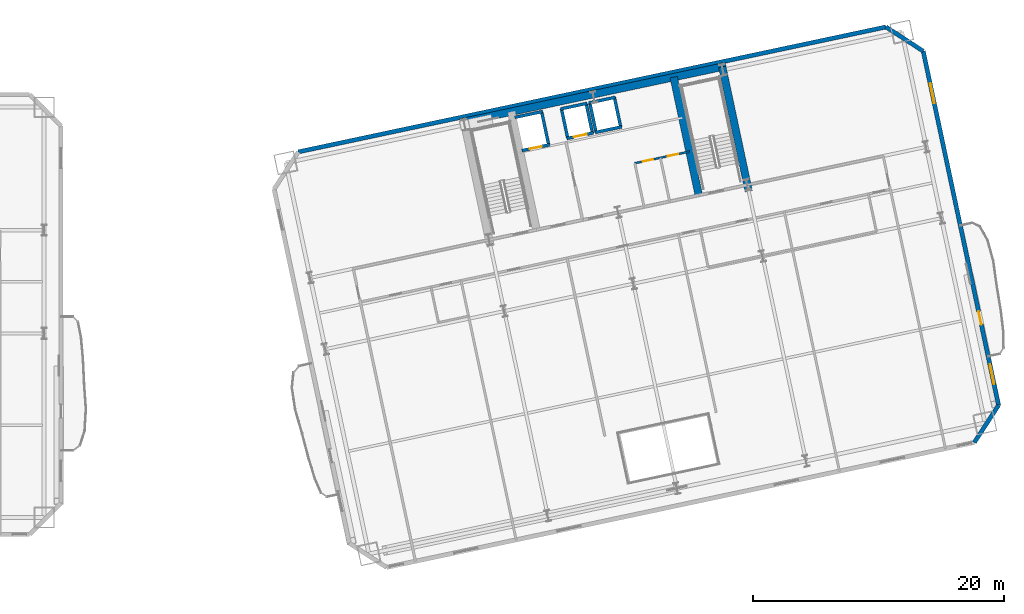
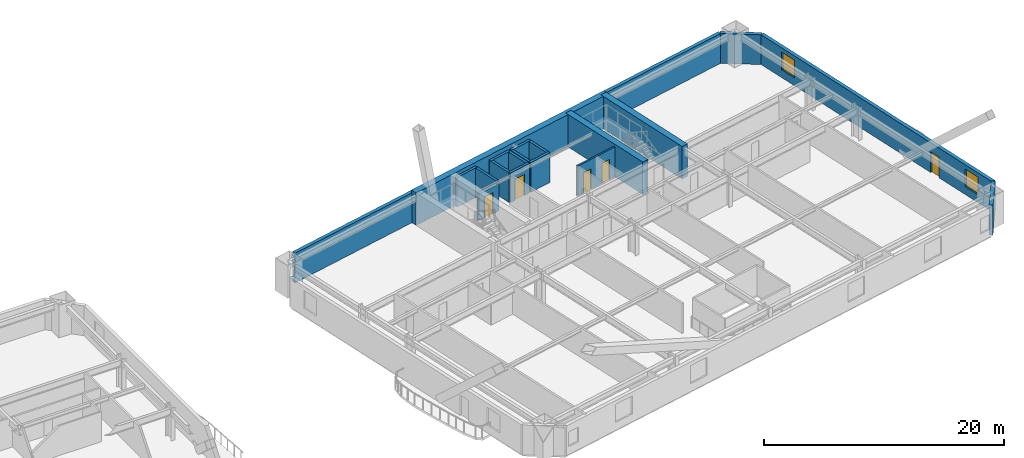
# One storey, part 9 of 17: 19 walls, 5 doors, 2 windows, 7 openings.
"""IFC4 building model written with IfcOpenShell, lengths in metres."""

from ifc_helpers import new_model, si_unit, direction, frame, frame_2d, origin, place, context, subcontext, project, spatial, rectangle, extrude, material, layer, layer_set, type_object, element, fill, save


model = new_model("IFC4")

# Units and contexts
model_context = context("Model", 3, precision=1e-05, world=origin(), true_north=direction((0.0, 1.0)))
body_context = subcontext(model_context, "Body", "Model", "MODEL_VIEW")
ifc_project = project(units=[si_unit("LENGTHUNIT", "METRE"), si_unit("AREAUNIT", "SQUARE_METRE"), si_unit("VOLUMEUNIT", "CUBIC_METRE"), si_unit("PLANEANGLEUNIT", "RADIAN"), si_unit("MASSUNIT", "GRAM", prefix="KILO")], contexts=[model_context])

# Site, building, storey
site_placement = place(None, origin())
site = spatial("IfcSite", under=ifc_project, at=site_placement, CompositionType="ELEMENT")
building_placement = place(site_placement, origin())
building = spatial("IfcBuilding", under=site, at=building_placement, Name="Haevon Station Towers", CompositionType="ELEMENT")
storey_placement = place(building_placement, frame((0.0, 0.0, 40.5)))
storey = spatial("IfcBuildingStorey", under=building, at=storey_placement, Name="L09", CompositionType="ELEMENT", Elevation=40.5)

# Walls
ifc_material_1 = material(Name="Concrete C60/75", Category="concrete")
ifc_layer_1 = layer(ifc_material_1, 0.60009765625)
ifc_layer_set_1 = layer_set([ifc_layer_1], Name="Concrete C60/75")
wall_type_1 = type_object("IfcWallType", Name="WL-CR600", PredefinedType="SHEAR", material=ifc_layer_set_1)
wall_1_placement = place(storey_placement, frame((96.462890625, 46.770263671875, 0.0), z_axis=(0.0, 0.0, 1.0), x_axis=(0.978147272959, 0.207913232873, 0.0)))
element("IfcWall", 1, at=wall_1_placement, inside=storey, type_object=wall_type_1, Name="WL-T2CR-L09-N", PredefinedType="SHEAR", context=body_context, shape_type="SweptSolid", body=[
    extrude(rectangle(XDim=21.60009765625, YDim=0.60009765625, at=frame_2d((10.800048828125, 0.0))), origin(), (0.0, 0.0, 1.0), 3.300048828125),
])
wall_2_placement = place(storey_placement, frame((119.401611328125, 41.2998046875, 0.0), z_axis=(0.0, 0.0, 1.0), x_axis=(-0.207904342798, 0.978149162575, 0.0)))
element("IfcWall", 2, at=wall_2_placement, inside=storey, type_object=wall_type_1, Name="WL-T2CR-L09-E", PredefinedType="SHEAR", context=body_context, shape_type="SweptSolid", body=[
    extrude(rectangle(XDim=10.1201171875, YDim=0.60009765625, at=frame_2d((5.06005859375, 0.0))), origin(), (0.0, 0.0, 1.0), 3.300048828125),
])
wall_3_placement = place(storey_placement, frame((115.4296875, 40.9873046875, 0.0), z_axis=(0.0, 0.0, 1.0), x_axis=(-0.207903162969, 0.978149413345, 0.0)))
element("IfcWall", 3, at=wall_3_placement, inside=storey, type_object=wall_type_1, Name="WL-T2CR-L09-M2", PredefinedType="SHEAR", context=body_context, shape_type="SweptSolid", body=[
    extrude(rectangle(XDim=9.599853515625, YDim=0.60009765625, at=frame_2d((4.7998046875, 0.0))), origin(), (0.0, 0.0, 1.0), 3.300048828125),
])
ifc_material_2 = material(Name="Precast concrete C45/55", Category="concrete")
ifc_layer_2 = layer(ifc_material_2, 0.340087890625)
ifc_layer_set_2 = layer_set([ifc_layer_2], Name="Precast concrete C45/55")
wall_type_2 = type_object("IfcWallType", Name="WL-EXT-PIER340", PredefinedType="SOLIDWALL", material=ifc_layer_set_2)
wall_4_placement = place(storey_placement, frame((83.566162109375, 44.43798828125, 0.0), z_axis=(0.0, 0.0, 1.0), x_axis=(0.97814833523, 0.207908235256, 0.0)))
element("IfcWall", 4, at=wall_4_placement, inside=storey, type_object=wall_type_2, Name="WL-T2-L09-N", PredefinedType="SOLIDWALL", context=body_context, shape_type="SweptSolid", body=[
    extrude(rectangle(XDim=47.7998046875, YDim=0.340087890625, at=frame_2d((23.89990234375, 0.0))), origin(), (0.0, 0.0, 1.0), 3.030029296875),
])
wall_5_placement = place(storey_placement, frame((130.321533203125, 54.3759765625, 0.0), z_axis=(0.0, 0.0, 1.0), x_axis=(0.838672309694, -0.544636352948, 0.0)))
element("IfcWall", 5, at=wall_5_placement, inside=storey, type_object=wall_type_2, Name="WL-T2-L09-NEC", PredefinedType="SOLIDWALL", context=body_context, shape_type="SweptSolid", body=[
    extrude(rectangle(XDim=3.535400390625, YDim=0.340087890625, at=frame_2d((1.767578125, 0.0))), origin(), (0.0, 0.0, 1.0), 3.030029296875),
])

# Wall, openings, door, windows
wall_6_placement = place(storey_placement, frame((133.28662109375, 52.450439453125, 0.0), z_axis=(0.0, 0.0, 1.0), x_axis=(0.207909549752, -0.978148055829, 0.0)))
wall_6 = element("IfcWall", 6, at=wall_6_placement, inside=storey, type_object=wall_type_2, Name="WL-T2-L09-E", PredefinedType="SOLIDWALL", context=body_context, shape_type="SweptSolid", body=[
    extrude(rectangle(XDim=28.800048828125, YDim=0.340087890625, at=frame_2d((14.39990234375, 0.0))), origin(), (0.0, 0.0, 1.0), 3.030029296875),
])
opening_1_placement = place(wall_6_placement, frame((21.175048828125, 0.0, 0.0)))
opening_1 = element("IfcOpeningElement", 7, at=opening_1_placement, cuts=wall_6, Name="Opening DR-T2-SCAL-L09-E", PredefinedType="OPENING", context=body_context, shape_type="SweptSolid", body=[
    extrude(rectangle(XDim=1.050048828125, YDim=2.10009765625, at=frame_2d((0.52490234375, 1.050048828125))), frame((0.0, 0.179931640625, 0.0), z_axis=(0.0, -1.0, 0.0), x_axis=(1.0, 0.0, 0.0)), (0.0, 0.0, 1.0), 0.360107421875),
])
opening_2_placement = place(wall_6_placement, frame((2.628662109375, 0.0, 0.800048828125)))
opening_2 = element("IfcOpeningElement", 8, at=opening_2_placement, cuts=wall_6, Name="Opening WN-END160", PredefinedType="OPENING", context=body_context, shape_type="SweptSolid", body=[
    extrude(rectangle(XDim=1.60009765625, YDim=1.800048828125, at=frame_2d((0.800048828125, 0.89990234375))), frame((0.0, 0.179931640625, 0.0), z_axis=(0.0, -1.0, 0.0), x_axis=(1.0, 0.0, 0.0)), (0.0, 0.0, 1.0), 0.360107421875),
])
opening_3_placement = place(wall_6_placement, frame((25.485595703125, 0.0, 0.800048828125)))
opening_3 = element("IfcOpeningElement", 9, at=opening_3_placement, cuts=wall_6, Name="Opening WN-END160", PredefinedType="OPENING", context=body_context, shape_type="SweptSolid", body=[
    extrude(rectangle(XDim=1.60009765625, YDim=1.800048828125, at=frame_2d((0.800048828125, 0.89990234375))), frame((0.0, 0.179931640625, 0.0), z_axis=(0.0, -1.0, 0.0), x_axis=(1.0, 0.0, 0.0)), (0.0, 0.0, 1.0), 0.360107421875),
])
ifc_material_3 = material(Name="Thermally broken anodised aluminium and laminated safety glass", Category="aluminium")
door_type_1 = type_object("IfcDoorType", Name="DR-BALC-1050", OperationType="NOTDEFINED", PredefinedType="DOOR", material=ifc_material_3)
door_1_placement = place(opening_1_placement, origin())
door_1 = element("IfcDoor", 10, at=door_1_placement, inside=storey, type_object=door_type_1, Name="Tower 2 L09 East Scalloped Balcony Door", OperationType="SINGLE_SWING_LEFT", OverallHeight=2.10009765625, OverallWidth=1.050048828125, PredefinedType="DOOR", context=body_context, shape_type="SweptSolid", body=[
    extrude(rectangle(XDim=1.050048828125, YDim=2.10009765625, at=frame_2d((0.52490234375, 1.050048828125))), frame((0.0, 0.02490234375, 0.0), z_axis=(0.0, -1.0, 0.0), x_axis=(1.0, 0.0, 0.0)), (0.0, 0.0, 1.0), 0.050048828125),
])
fill(opening_1, door_1)
ifc_material_4 = material(Name="Low-E triple glazing in thermally broken aluminium", Category="aluminium")
window_type = type_object("IfcWindowType", Name="WN-END160", PartitioningType="SINGLE_PANEL", PredefinedType="WINDOW", material=ifc_material_4)
window_1_placement = place(opening_2_placement, origin())
window_1 = element("IfcWindow", 11, at=window_1_placement, inside=storey, type_object=window_type, Name="WN-T2-L09-E01", OverallHeight=1.800048828125, OverallWidth=1.60009765625, PartitioningType="SINGLE_PANEL", PredefinedType="WINDOW", context=body_context, shape_type="SweptSolid", body=[
    extrude(rectangle(XDim=1.60009765625, YDim=1.800048828125, at=frame_2d((0.800048828125, 0.89990234375))), frame((0.0, 0.030029296875, 0.0), z_axis=(0.0, -1.0, 0.0), x_axis=(1.0, 0.0, 0.0)), (0.0, 0.0, 1.0), 0.06005859375),
])
fill(opening_2, window_1)
window_2_placement = place(opening_3_placement, origin())
window_2 = element("IfcWindow", 12, at=window_2_placement, inside=storey, type_object=window_type, Name="WN-T2-L09-E02", OverallHeight=1.800048828125, OverallWidth=1.60009765625, PartitioningType="SINGLE_PANEL", PredefinedType="WINDOW", context=body_context, shape_type="SweptSolid", body=[
    extrude(rectangle(XDim=1.60009765625, YDim=1.800048828125, at=frame_2d((0.800048828125, 0.89990234375))), frame((0.0, 0.030029296875, 0.0), z_axis=(0.0, -1.0, 0.0), x_axis=(1.0, 0.0, 0.0)), (0.0, 0.0, 1.0), 0.06005859375),
])
fill(opening_3, window_2)

# Wall
wall_7_placement = place(storey_placement, frame((139.2744140625, 24.27978515625, 0.0), z_axis=(0.0, 0.0, 1.0), x_axis=(-0.544636352948, -0.838672309694, 0.0)))
element("IfcWall", 13, at=wall_7_placement, inside=storey, type_object=wall_type_2, Name="WL-T2-L09-SEC", PredefinedType="SOLIDWALL", context=body_context, shape_type="SweptSolid", body=[
    extrude(rectangle(XDim=3.535400390625, YDim=0.340087890625, at=frame_2d((1.767578125, 0.0))), origin(), (0.0, 0.0, 1.0), 3.030029296875),
])

# Wall, openings, doors
ifc_material_5 = material(Name="Gypsum board on steel stud", Category="steel")
ifc_layer_3 = layer(ifc_material_5, 0.159912109375)
ifc_layer_set_3 = layer_set([ifc_layer_3], Name="Gypsum board on steel stud")
wall_type_3 = type_object("IfcWallType", Name="WL-PRT160", PredefinedType="PARTITIONING", material=ifc_layer_set_3)
wall_8_placement = place(storey_placement, frame((110.3388671875, 43.534423828125, 0.0), z_axis=(0.0, 0.0, 1.0), x_axis=(0.978143929138, 0.207928963567, 0.0)))
wall_8 = element("IfcWall", 14, at=wall_8_placement, inside=storey, type_object=wall_type_3, Name="WL-T2CW-L09-03", PredefinedType="PARTITIONING", context=body_context, shape_type="SweptSolid", body=[
    extrude(rectangle(XDim=4.449951171875, YDim=0.159912109375, at=frame_2d((2.22509765625, 0.0))), origin(), (0.0, 0.0, 1.0), 3.030029296875),
])
opening_4_placement = place(wall_8_placement, frame((0.635009765625, 0.0, 0.0)))
opening_4 = element("IfcOpeningElement", 15, at=opening_4_placement, cuts=wall_8, Name="Opening DR-WL-T2CW-L09-03-1", PredefinedType="OPENING", context=body_context, shape_type="SweptSolid", body=[
    extrude(rectangle(XDim=0.85009765625, YDim=2.050048828125, at=frame_2d((0.425048828125, 1.02490234375))), frame((0.0, 0.08984375, 0.0), z_axis=(0.0, -1.0, 0.0), x_axis=(1.0, 0.0, 0.0)), (0.0, 0.0, 1.0), 0.179931640625),
])
opening_5_placement = place(wall_8_placement, frame((2.679931640625, 0.0, 0.0)))
opening_5 = element("IfcOpeningElement", 16, at=opening_5_placement, cuts=wall_8, Name="Opening DR-WL-T2CW-L09-03-2", PredefinedType="OPENING", context=body_context, shape_type="SweptSolid", body=[
    extrude(rectangle(XDim=0.85009765625, YDim=2.050048828125, at=frame_2d((0.425048828125, 1.02490234375))), frame((0.0, 0.08984375, 0.0), z_axis=(0.0, -1.0, 0.0), x_axis=(1.0, 0.0, 0.0)), (0.0, 0.0, 1.0), 0.179931640625),
])
ifc_material_6 = material(Name="Engineered oak timber", Category="wood")
door_type_2 = type_object("IfcDoorType", Name="DR-FD30-850", OperationType="NOTDEFINED", PredefinedType="DOOR", material=ifc_material_6)
door_2_placement = place(opening_4_placement, origin())
door_2 = element("IfcDoor", 17, at=door_2_placement, inside=storey, type_object=door_type_2, Name="L09 Tower 2 Core Room Door 3-1", OperationType="SINGLE_SWING_RIGHT", OverallHeight=2.050048828125, OverallWidth=0.85009765625, PredefinedType="DOOR", context=body_context, shape_type="SweptSolid", body=[
    extrude(rectangle(XDim=0.85009765625, YDim=2.050048828125, at=frame_2d((0.425048828125, 1.02490234375))), frame((0.0, 0.02490234375, 0.0), z_axis=(0.0, -1.0, 0.0), x_axis=(1.0, 0.0, 0.0)), (0.0, 0.0, 1.0), 0.050048828125),
])
fill(opening_4, door_2)
door_3_placement = place(opening_5_placement, origin())
door_3 = element("IfcDoor", 18, at=door_3_placement, inside=storey, type_object=door_type_2, Name="L09 Tower 2 Core Room Door 3-2", OperationType="SINGLE_SWING_LEFT", OverallHeight=2.050048828125, OverallWidth=0.85009765625, PredefinedType="DOOR", context=body_context, shape_type="SweptSolid", body=[
    extrude(rectangle(XDim=0.85009765625, YDim=2.050048828125, at=frame_2d((0.425048828125, 1.02490234375))), frame((0.0, 0.02490234375, 0.0), z_axis=(0.0, -1.0, 0.0), x_axis=(1.0, 0.0, 0.0)), (0.0, 0.0, 1.0), 0.050048828125),
])
fill(opening_5, door_3)

# Wall, opening, door
ifc_material_7 = material(Name="Concrete C40/50", Category="concrete")
ifc_layer_4 = layer(ifc_material_7, 0.239990234375)
ifc_layer_set_4 = layer_set([ifc_layer_4], Name="Concrete C40/50")
wall_type_4 = type_object("IfcWallType", Name="WL-SHF240", PredefinedType="PARTITIONING", material=ifc_layer_set_4)
wall_9_placement = place(storey_placement, frame((101.353759765625, 44.538330078125, 0.0), z_axis=(0.0, 0.0, 1.0), x_axis=(0.978141002414, 0.207942731049, 0.0)))
wall_9 = element("IfcWall", 19, at=wall_9_placement, inside=storey, type_object=wall_type_4, Name="WL-SHF-FL2-L09", PredefinedType="PARTITIONING", context=body_context, shape_type="SweptSolid", body=[
    extrude(rectangle(XDim=2.260009765625, YDim=0.239990234375, at=frame_2d((1.1298828125, 0.0))), origin(), (0.0, 0.0, 1.0), 2.72998046875),
])
opening_6_placement = place(wall_9_placement, frame((0.655029296875, 0.0, 0.0)))
opening_6 = element("IfcOpeningElement", 20, at=opening_6_placement, cuts=wall_9, Name="Opening LD-FL2-L09", PredefinedType="OPENING", context=body_context, shape_type="SweptSolid", body=[
    extrude(rectangle(XDim=0.949951171875, YDim=2.14990234375, at=frame_2d((0.47509765625, 1.074951171875))), frame((0.0, 0.1298828125, 0.0), z_axis=(0.0, -1.0, 0.0), x_axis=(1.0, 0.0, 0.0)), (0.0, 0.0, 1.0), 0.260009765625),
])
ifc_material_8 = material(Name="Stainless steel and rated core", Category="steel")
door_type_3 = type_object("IfcDoorType", Name="LD-FL950", OperationType="SLIDING_TO_LEFT", PredefinedType="DOOR", material=ifc_material_8)
door_4_placement = place(opening_6_placement, origin())
door_4 = element("IfcDoor", 21, at=door_4_placement, inside=storey, type_object=door_type_3, Name="L09 Lift FL2 Sliding Landing Door", OperationType="SLIDING_TO_LEFT", OverallHeight=2.14990234375, OverallWidth=0.949951171875, PredefinedType="DOOR", context=body_context, shape_type="SweptSolid", body=[
    extrude(rectangle(XDim=0.949951171875, YDim=2.14990234375, at=frame_2d((0.47509765625, 1.074951171875))), frame((0.0, 0.02490234375, 0.0), z_axis=(0.0, -1.0, 0.0), x_axis=(1.0, 0.0, 0.0)), (0.0, 0.0, 1.0), 0.050048828125),
])
fill(opening_6, door_4)

# Walls
wall_10_placement = place(storey_placement, frame((100.79248046875, 47.179443359375, 0.0), z_axis=(0.0, 0.0, 1.0), x_axis=(0.978162968872, 0.207839376268, 0.0)))
element("IfcWall", 22, at=wall_10_placement, inside=storey, type_object=wall_type_4, Name="WL-SHF-FL2-L09-N", PredefinedType="PARTITIONING", context=body_context, shape_type="SweptSolid", body=[
    extrude(rectangle(XDim=2.260009765625, YDim=0.239990234375, at=frame_2d((1.1298828125, 0.0))), origin(), (0.0, 0.0, 1.0), 3.030029296875),
])
wall_11_placement = place(storey_placement, frame((103.486328125, 44.99169921875, 0.0), z_axis=(0.0, 0.0, 1.0), x_axis=(-0.207978798957, 0.978133334052, 0.0)))
element("IfcWall", 23, at=wall_11_placement, inside=storey, type_object=wall_type_4, Name="WL-SHF-FL2-L09-E", PredefinedType="PARTITIONING", context=body_context, shape_type="SweptSolid", body=[
    extrude(rectangle(XDim=2.699951171875, YDim=0.239990234375, at=frame_2d((1.35009765625, 0.0))), origin(), (0.0, 0.0, 1.0), 3.030029296875),
])

# Wall, opening, door
wall_12_placement = place(storey_placement, frame((104.931396484375, 45.503173828125, 0.0), z_axis=(0.0, 0.0, 1.0), x_axis=(0.97813528961, 0.207969601673, 0.0)))
wall_12 = element("IfcWall", 24, at=wall_12_placement, inside=storey, type_object=wall_type_4, Name="WL-SHF-PL7-L09", PredefinedType="PARTITIONING", context=body_context, shape_type="SweptSolid", body=[
    extrude(rectangle(XDim=2.159912109375, YDim=0.239990234375, at=frame_2d((1.080078125, 0.0))), origin(), (0.0, 0.0, 1.0), 3.030029296875),
])
opening_7_placement = place(wall_12_placement, frame((0.554931640625, 0.0, 0.0)))
opening_7 = element("IfcOpeningElement", 25, at=opening_7_placement, cuts=wall_12, Name="Opening LD-PL7-L09", PredefinedType="OPENING", context=body_context, shape_type="SweptSolid", body=[
    extrude(rectangle(XDim=1.050048828125, YDim=2.14990234375, at=frame_2d((0.52490234375, 1.074951171875))), frame((0.0, 0.1298828125, 0.0), z_axis=(0.0, -1.0, 0.0), x_axis=(1.0, 0.0, 0.0)), (0.0, 0.0, 1.0), 0.260009765625),
])
door_type_4 = type_object("IfcDoorType", Name="LD-PL1050", OperationType="SLIDING_TO_LEFT", PredefinedType="DOOR", material=ifc_material_8)
door_5_placement = place(opening_7_placement, origin())
door_5 = element("IfcDoor", 26, at=door_5_placement, inside=storey, type_object=door_type_4, Name="L09 Lift PL7 Sliding Landing Door", OperationType="SLIDING_TO_LEFT", OverallHeight=2.14990234375, OverallWidth=1.050048828125, PredefinedType="DOOR", context=body_context, shape_type="SweptSolid", body=[
    extrude(rectangle(XDim=1.050048828125, YDim=2.14990234375, at=frame_2d((0.52490234375, 1.074951171875))), frame((0.0, 0.02490234375, 0.0), z_axis=(0.0, -1.0, 0.0), x_axis=(1.0, 0.0, 0.0)), (0.0, 0.0, 1.0), 0.050048828125),
])
fill(opening_7, door_5)

# Walls
wall_13_placement = place(storey_placement, frame((104.432373046875, 47.850830078125, 0.0), z_axis=(0.0, 0.0, 1.0), x_axis=(0.978158276388, 0.207861459473, 0.0)))
element("IfcWall", 27, at=wall_13_placement, inside=storey, type_object=wall_type_4, Name="WL-SHF-PL7-L09-N", PredefinedType="PARTITIONING", context=body_context, shape_type="SweptSolid", body=[
    extrude(rectangle(XDim=2.159912109375, YDim=0.239990234375, at=frame_2d((1.080078125, 0.0))), origin(), (0.0, 0.0, 1.0), 3.030029296875),
])
wall_14_placement = place(storey_placement, frame((105.009765625, 45.519775390625, 0.0), z_axis=(0.0, 0.0, 1.0), x_axis=(-0.207917150959, 0.978146440129, 0.0)))
element("IfcWall", 28, at=wall_14_placement, inside=storey, type_object=wall_type_4, Name="WL-SHF-PL7-L09-W", PredefinedType="PARTITIONING", context=body_context, shape_type="SweptSolid", body=[
    extrude(rectangle(XDim=2.400146484375, YDim=0.239990234375, at=frame_2d((1.2001953125, 0.0))), origin(), (0.0, 0.0, 1.0), 3.030029296875),
])
wall_15_placement = place(storey_placement, frame((106.966064453125, 45.935791015625, 0.0), z_axis=(0.0, 0.0, 1.0), x_axis=(-0.207937840262, 0.978142042133, 0.0)))
element("IfcWall", 29, at=wall_15_placement, inside=storey, type_object=wall_type_4, Name="WL-SHF-PL7-L09-E", PredefinedType="PARTITIONING", context=body_context, shape_type="SweptSolid", body=[
    extrude(rectangle(XDim=2.39990234375, YDim=0.239990234375, at=frame_2d((1.199951171875, 0.0))), origin(), (0.0, 0.0, 1.0), 3.030029296875),
])
for number, where, z_axis, x_axis, name in (
    (30, (107.18115234375, 45.9814453125, 0.0), (0.0, 0.0, 1.0), (0.97813528961, 0.207969601673, 0.0), "WL-SHF-PL8-L09"),
    (31, (106.68212890625, 48.3291015625, 0.0), (0.0, 0.0, 1.0), (0.978158276388, 0.207861459473, 0.0), "WL-SHF-PL8-L09-N"),
):
    element("IfcWall", number, at=place(storey_placement, frame(where, z_axis=z_axis, x_axis=x_axis)), inside=storey, type_object=wall_type_4, Name=name, PredefinedType="PARTITIONING", context=body_context, shape_type="SweptSolid", body=[
        extrude(rectangle(XDim=2.159912109375, YDim=0.239990234375, at=frame_2d((1.080078125, 0.0))), origin(), (0.0, 0.0, 1.0), 3.030029296875),
    ])
for number, where, z_axis, x_axis, name in (
    (32, (107.259521484375, 45.998046875, 0.0), (0.0, 0.0, 1.0), (-0.207917150959, 0.978146440129, 0.0), "WL-SHF-PL8-L09-W"),
    (33, (109.2158203125, 46.413818359375, 0.0), (0.0, 0.0, 1.0), (-0.207917150959, 0.978146440129, 0.0), "WL-SHF-PL8-L09-E"),
):
    element("IfcWall", number, at=place(storey_placement, frame(where, z_axis=z_axis, x_axis=x_axis)), inside=storey, type_object=wall_type_4, Name=name, PredefinedType="PARTITIONING", context=body_context, shape_type="SweptSolid", body=[
        extrude(rectangle(XDim=2.400146484375, YDim=0.239990234375, at=frame_2d((1.2001953125, 0.0))), origin(), (0.0, 0.0, 1.0), 3.030029296875),
    ])

save(model, "model.ifc")
